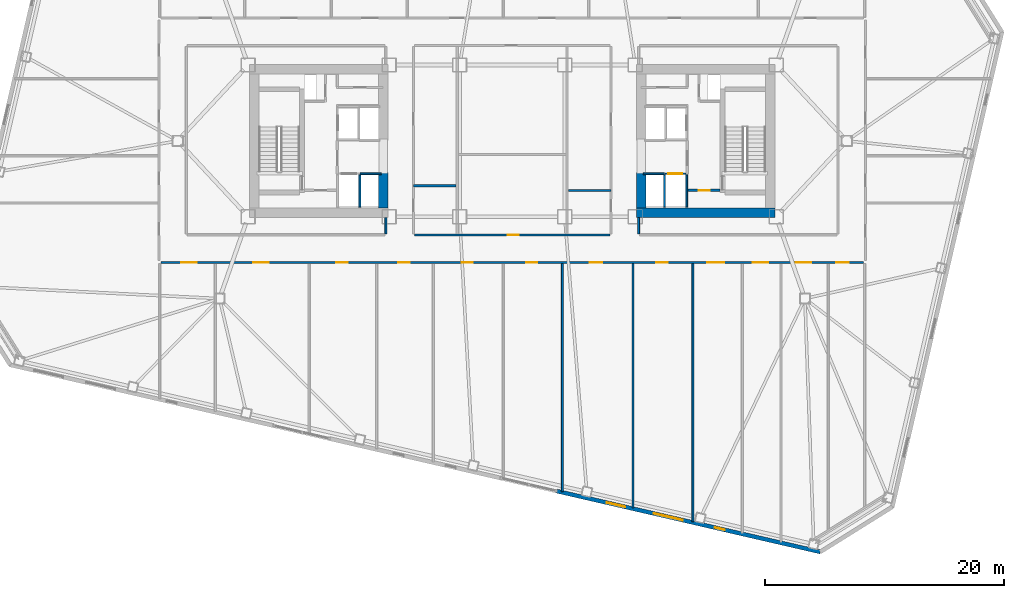
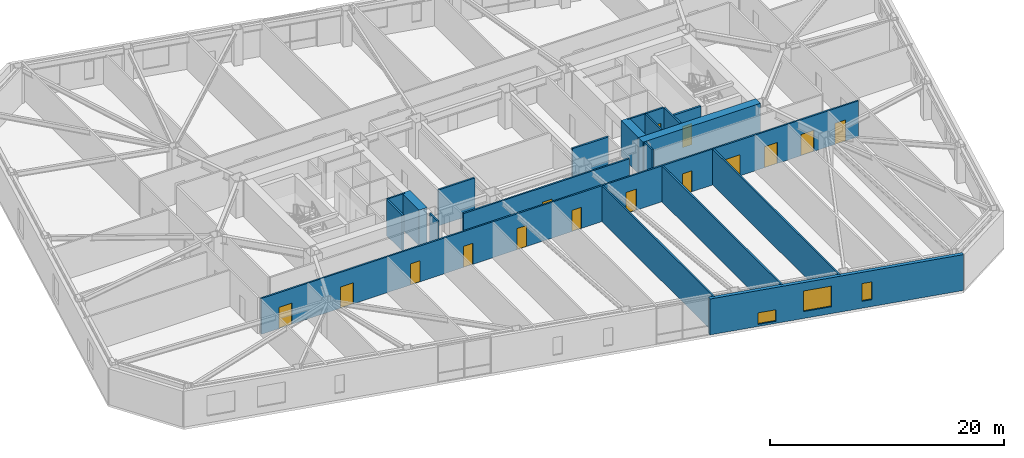
# One storey, part 10 of 19: 20 walls, 15 doors, 3 windows, 18 openings.
"""IFC4 building model written with IfcOpenShell, lengths in metres."""

from ifc_helpers import new_model, si_unit, direction, frame, frame_2d, origin, place, context, subcontext, project, spatial, rectangle, extrude, material, layer, layer_set, type_object, element, fill, save


model = new_model("IFC4")

# Units and contexts
model_context = context("Model", 3, precision=1e-05, world=origin(), true_north=direction((0.0, 1.0)))
body_context = subcontext(model_context, "Body", "Model", "MODEL_VIEW")
ifc_project = project(units=[si_unit("LENGTHUNIT", "METRE"), si_unit("AREAUNIT", "SQUARE_METRE"), si_unit("VOLUMEUNIT", "CUBIC_METRE"), si_unit("PLANEANGLEUNIT", "RADIAN"), si_unit("MASSUNIT", "GRAM", prefix="KILO")], contexts=[model_context])

# Site, building, storey
site_placement = place(None, origin())
site = spatial("IfcSite", under=ifc_project, at=site_placement, CompositionType="ELEMENT")
building_placement = place(site_placement, origin())
building = spatial("IfcBuilding", under=site, at=building_placement, Name="Tavrogorsk Clinical Tower", CompositionType="ELEMENT")
storey_placement = place(building_placement, frame((0.0, 0.0, 75.39990234375)))
storey = spatial("IfcBuildingStorey", under=building, at=storey_placement, Name="L16", CompositionType="ELEMENT", Elevation=75.39990234375)

# Wall, opening, door
ifc_material_1 = material(Name="Concrete B60", Category="concrete")
ifc_layer_1 = layer(ifc_material_1, 0.199951171875)
ifc_layer_set_1 = layer_set([ifc_layer_1], Name="Concrete B60")
wall_type_1 = type_object("IfcWallType", Name="CoreFireWall_200", PredefinedType="SOLIDWALL", material=ifc_layer_set_1)
wall_1_placement = place(storey_placement, frame((14.719970703125, -4.139892578125, 0.0), z_axis=(0.0, 0.0, 1.0), x_axis=(1.0, 0.0, 0.0)))
wall_1 = element("IfcWall", 1, at=wall_1_placement, inside=storey, type_object=wall_type_1, Name="L16 Core East South Core Room Fire Wall", PredefinedType="SOLIDWALL", context=body_context, shape_type="SweptSolid", body=[
    extrude(rectangle(XDim=2.659912109375, YDim=0.199951171875, at=frame_2d((1.330078125, 0.0))), origin(), (0.0, 0.0, 1.0), 3.739990234375),
])
opening_1_placement = place(wall_1_placement, frame((0.8798828125, 0.0, 0.0)))
opening_1 = element("IfcOpeningElement", 2, at=opening_1_placement, cuts=wall_1, Name="Opening ID-02", PredefinedType="OPENING", context=body_context, shape_type="SweptSolid", body=[
    extrude(rectangle(XDim=0.949951171875, YDim=2.199951171875, at=frame_2d((0.47509765625, 1.10009765625))), frame((0.0, 0.10986328125, 0.0), z_axis=(0.0, -1.0, 0.0), x_axis=(1.0, 0.0, 0.0)), (0.0, 0.0, 1.0), 0.219970703125),
])
ifc_material_2 = material(Name="Laminated timber leaf on aluminium frame", Category="wood")
door_type_1 = type_object("IfcDoorType", Name="InteriorDoor_ID02_950", OperationType="NOTDEFINED", PredefinedType="DOOR", material=ifc_material_2)
door_1_placement = place(opening_1_placement, origin())
door_1 = element("IfcDoor", 3, at=door_1_placement, inside=storey, type_object=door_type_1, Name="L16 Core East South Core Room Door", OperationType="SINGLE_SWING_RIGHT", OverallHeight=2.199951171875, OverallWidth=0.949951171875, PredefinedType="DOOR", context=body_context, shape_type="SweptSolid", body=[
    extrude(rectangle(XDim=0.949951171875, YDim=2.199951171875, at=frame_2d((0.47509765625, 1.10009765625))), frame((0.0, 0.02490234375, 0.0), z_axis=(0.0, -1.0, 0.0), x_axis=(1.0, 0.0, 0.0)), (0.0, 0.0, 1.0), 0.050048828125),
])
fill(opening_1, door_1)

# Wall, openings, doors
ifc_material_3 = material(Name="Lightweight concrete blockwork B15", Category="masonry")
ifc_layer_2 = layer(ifc_material_3, 0.159912109375)
ifc_layer_set_2 = layer_set([ifc_layer_2], Name="Lightweight concrete blockwork B15")
wall_type_2 = type_object("IfcWallType", Name="PartitionWall_160", PredefinedType="PARTITIONING", material=ifc_layer_set_2)
wall_2_placement = place(storey_placement, frame((29.4150390625, -10.179931640625, 0.0), z_axis=(0.0, 0.0, 1.0), x_axis=(-1.0, 0.0, 0.0)))
wall_2 = element("IfcWall", 4, at=wall_2_placement, inside=storey, type_object=wall_type_2, Name="L16 Corridor Partition 04", PredefinedType="PARTITIONING", context=body_context, shape_type="SweptSolid", body=[
    extrude(rectangle(XDim=58.830078125, YDim=0.159912109375, at=frame_2d((29.4150390625, 0.0))), origin(), (0.0, 0.0, 1.0), 3.739990234375),
])
opening_2_placement = place(wall_2_placement, frame((55.830810546875, 0.0, 0.0)))
opening_2 = element("IfcOpeningElement", 5, at=opening_2_placement, cuts=wall_2, Name="Opening ID-01", PredefinedType="OPENING", context=body_context, shape_type="SweptSolid", body=[
    extrude(rectangle(XDim=1.300048828125, YDim=2.199951171875, at=frame_2d((0.64990234375, 1.10009765625))), frame((0.0, 0.08984375, 0.0), z_axis=(0.0, -1.0, 0.0), x_axis=(1.0, 0.0, 0.0)), (0.0, 0.0, 1.0), 0.179931640625),
])
opening_3_placement = place(wall_2_placement, frame((49.77490234375, 0.0, 0.0)))
opening_3 = element("IfcOpeningElement", 6, at=opening_3_placement, cuts=wall_2, Name="Opening ID-01", PredefinedType="OPENING", context=body_context, shape_type="SweptSolid", body=[
    extrude(rectangle(XDim=1.300048828125, YDim=2.199951171875, at=frame_2d((0.64990234375, 1.10009765625))), frame((0.0, 0.08984375, 0.0), z_axis=(0.0, -1.0, 0.0), x_axis=(1.0, 0.0, 0.0)), (0.0, 0.0, 1.0), 0.179931640625),
])
opening_4_placement = place(wall_2_placement, frame((43.199951171875, 0.0, 0.0)))
opening_4 = element("IfcOpeningElement", 7, at=opening_4_placement, cuts=wall_2, Name="Opening ID-02", PredefinedType="OPENING", context=body_context, shape_type="SweptSolid", body=[
    extrude(rectangle(XDim=0.949951171875, YDim=2.199951171875, at=frame_2d((0.47509765625, 1.10009765625))), frame((0.0, 0.08984375, 0.0), z_axis=(0.0, -1.0, 0.0), x_axis=(1.0, 0.0, 0.0)), (0.0, 0.0, 1.0), 0.179931640625),
])
opening_5_placement = place(wall_2_placement, frame((38.0, 0.0, 0.0)))
opening_5 = element("IfcOpeningElement", 8, at=opening_5_placement, cuts=wall_2, Name="Opening ID-02", PredefinedType="OPENING", context=body_context, shape_type="SweptSolid", body=[
    extrude(rectangle(XDim=0.949951171875, YDim=2.199951171875, at=frame_2d((0.47509765625, 1.10009765625))), frame((0.0, 0.08984375, 0.0), z_axis=(0.0, -1.0, 0.0), x_axis=(1.0, 0.0, 0.0)), (0.0, 0.0, 1.0), 0.179931640625),
])
opening_6_placement = place(wall_2_placement, frame((32.699951171875, 0.0, 0.0)))
opening_6 = element("IfcOpeningElement", 9, at=opening_6_placement, cuts=wall_2, Name="Opening ID-02", PredefinedType="OPENING", context=body_context, shape_type="SweptSolid", body=[
    extrude(rectangle(XDim=0.949951171875, YDim=2.199951171875, at=frame_2d((0.47509765625, 1.10009765625))), frame((0.0, 0.08984375, 0.0), z_axis=(0.0, -1.0, 0.0), x_axis=(1.0, 0.0, 0.0)), (0.0, 0.0, 1.0), 0.179931640625),
])
opening_7_placement = place(wall_2_placement, frame((27.300048828125, 0.0, 0.0)))
opening_7 = element("IfcOpeningElement", 10, at=opening_7_placement, cuts=wall_2, Name="Opening ID-02", PredefinedType="OPENING", context=body_context, shape_type="SweptSolid", body=[
    extrude(rectangle(XDim=0.949951171875, YDim=2.199951171875, at=frame_2d((0.47509765625, 1.10009765625))), frame((0.0, 0.08984375, 0.0), z_axis=(0.0, -1.0, 0.0), x_axis=(1.0, 0.0, 0.0)), (0.0, 0.0, 1.0), 0.179931640625),
])
opening_8_placement = place(wall_2_placement, frame((21.8701171875, 0.0, 0.0)))
opening_8 = element("IfcOpeningElement", 11, at=opening_8_placement, cuts=wall_2, Name="Opening ID-04", PredefinedType="OPENING", context=body_context, shape_type="SweptSolid", body=[
    extrude(rectangle(XDim=1.050048828125, YDim=2.199951171875, at=frame_2d((0.52490234375, 1.10009765625))), frame((0.0, 0.08984375, 0.0), z_axis=(0.0, -1.0, 0.0), x_axis=(1.0, 0.0, 0.0)), (0.0, 0.0, 1.0), 0.179931640625),
])
opening_9_placement = place(wall_2_placement, frame((16.409912109375, 0.0, 0.0)))
opening_9 = element("IfcOpeningElement", 12, at=opening_9_placement, cuts=wall_2, Name="Opening ID-02", PredefinedType="OPENING", context=body_context, shape_type="SweptSolid", body=[
    extrude(rectangle(XDim=0.949951171875, YDim=2.199951171875, at=frame_2d((0.47509765625, 1.10009765625))), frame((0.0, 0.08984375, 0.0), z_axis=(0.0, -1.0, 0.0), x_axis=(1.0, 0.0, 0.0)), (0.0, 0.0, 1.0), 0.179931640625),
])
opening_10_placement = place(wall_2_placement, frame((11.659912109375, 0.0, 0.0)))
opening_10 = element("IfcOpeningElement", 13, at=opening_10_placement, cuts=wall_2, Name="Opening ID-05", PredefinedType="OPENING", context=body_context, shape_type="SweptSolid", body=[
    extrude(rectangle(XDim=1.449951171875, YDim=2.199951171875, at=frame_2d((0.72509765625, 1.10009765625))), frame((0.0, 0.08984375, 0.0), z_axis=(0.0, -1.0, 0.0), x_axis=(1.0, 0.0, 0.0)), (0.0, 0.0, 1.0), 0.179931640625),
])
opening_11_placement = place(wall_2_placement, frame((7.969970703125, 0.0, 0.0)))
opening_11 = element("IfcOpeningElement", 14, at=opening_11_placement, cuts=wall_2, Name="Opening ID-01", PredefinedType="OPENING", context=body_context, shape_type="SweptSolid", body=[
    extrude(rectangle(XDim=1.300048828125, YDim=2.199951171875, at=frame_2d((0.64990234375, 1.10009765625))), frame((0.0, 0.08984375, 0.0), z_axis=(0.0, -1.0, 0.0), x_axis=(1.0, 0.0, 0.0)), (0.0, 0.0, 1.0), 0.179931640625),
])
opening_12_placement = place(wall_2_placement, frame((4.375, 0.0, 0.0)))
opening_12 = element("IfcOpeningElement", 15, at=opening_12_placement, cuts=wall_2, Name="Opening ID-01", PredefinedType="OPENING", context=body_context, shape_type="SweptSolid", body=[
    extrude(rectangle(XDim=1.300048828125, YDim=2.199951171875, at=frame_2d((0.64990234375, 1.10009765625))), frame((0.0, 0.08984375, 0.0), z_axis=(0.0, -1.0, 0.0), x_axis=(1.0, 0.0, 0.0)), (0.0, 0.0, 1.0), 0.179931640625),
])
opening_13_placement = place(wall_2_placement, frame((1.244140625, 0.0, 0.0)))
opening_13 = element("IfcOpeningElement", 16, at=opening_13_placement, cuts=wall_2, Name="Opening ID-04", PredefinedType="OPENING", context=body_context, shape_type="SweptSolid", body=[
    extrude(rectangle(XDim=1.050048828125, YDim=2.199951171875, at=frame_2d((0.52490234375, 1.10009765625))), frame((0.0, 0.08984375, 0.0), z_axis=(0.0, -1.0, 0.0), x_axis=(1.0, 0.0, 0.0)), (0.0, 0.0, 1.0), 0.179931640625),
])
ifc_material_4 = material(Name="Antibacterial HPL consultation door on aluminium frame", Category="aluminium")
door_type_2 = type_object("IfcDoorType", Name="ConsultDoor_ID04_1050", OperationType="NOTDEFINED", PredefinedType="DOOR", material=ifc_material_4)
door_2_placement = place(opening_8_placement, origin())
door_2 = element("IfcDoor", 17, at=door_2_placement, inside=storey, type_object=door_type_2, Name="L16 South Staff Rest & Nourishment Lounge 05A Door", OperationType="SINGLE_SWING_RIGHT", OverallHeight=2.199951171875, OverallWidth=1.050048828125, PredefinedType="DOOR", context=body_context, shape_type="SweptSolid", body=[
    extrude(rectangle(XDim=1.050048828125, YDim=2.199951171875, at=frame_2d((0.52490234375, 1.10009765625))), frame((0.0, 0.02490234375, 0.0), z_axis=(0.0, -1.0, 0.0), x_axis=(1.0, 0.0, 0.0)), (0.0, 0.0, 1.0), 0.050048828125),
])
fill(opening_8, door_2)
door_3_placement = place(opening_13_placement, origin())
door_3 = element("IfcDoor", 18, at=door_3_placement, inside=storey, type_object=door_type_2, Name="L16 South Clean Medication & Prep Room 07B Door", OperationType="SINGLE_SWING_LEFT", OverallHeight=2.199951171875, OverallWidth=1.050048828125, PredefinedType="DOOR", context=body_context, shape_type="SweptSolid", body=[
    extrude(rectangle(XDim=1.050048828125, YDim=2.199951171875, at=frame_2d((0.52490234375, 1.10009765625))), frame((0.0, 0.02490234375, 0.0), z_axis=(0.0, -1.0, 0.0), x_axis=(1.0, 0.0, 0.0)), (0.0, 0.0, 1.0), 0.050048828125),
])
fill(opening_13, door_3)
ifc_material_5 = material(Name="Antibacterial HPL bariatric ward double door")
door_type_3 = type_object("IfcDoorType", Name="DoubleWardDoor_ID05_1450", OperationType="DOUBLE_SWING_LEFT", PredefinedType="DOOR", material=ifc_material_5)
door_4_placement = place(opening_10_placement, origin())
door_4 = element("IfcDoor", 19, at=door_4_placement, inside=storey, type_object=door_type_3, Name="L16 South Bariatric Observation Ward 06A Door", OperationType="DOUBLE_SWING_LEFT", OverallHeight=2.199951171875, OverallWidth=1.449951171875, PredefinedType="DOOR", context=body_context, shape_type="SweptSolid", body=[
    extrude(rectangle(XDim=1.449951171875, YDim=2.199951171875, at=frame_2d((0.72509765625, 1.10009765625))), frame((0.0, 0.02490234375, 0.0), z_axis=(0.0, -1.0, 0.0), x_axis=(1.0, 0.0, 0.0)), (0.0, 0.0, 1.0), 0.050048828125),
])
fill(opening_10, door_4)
door_5_placement = place(opening_4_placement, origin())
door_5 = element("IfcDoor", 20, at=door_5_placement, inside=storey, type_object=door_type_1, Name="L16 South Soiled Utility & Sluice Room 03A Door", OperationType="SINGLE_SWING_RIGHT", OverallHeight=2.199951171875, OverallWidth=0.949951171875, PredefinedType="DOOR", context=body_context, shape_type="SweptSolid", body=[
    extrude(rectangle(XDim=0.949951171875, YDim=2.199951171875, at=frame_2d((0.47509765625, 1.10009765625))), frame((0.0, 0.02490234375, 0.0), z_axis=(0.0, -1.0, 0.0), x_axis=(1.0, 0.0, 0.0)), (0.0, 0.0, 1.0), 0.050048828125),
])
fill(opening_4, door_5)
door_6_placement = place(opening_5_placement, origin())
door_6 = element("IfcDoor", 21, at=door_6_placement, inside=storey, type_object=door_type_1, Name="L16 South Outpatient Procedure Suite 03B Door", OperationType="SINGLE_SWING_LEFT", OverallHeight=2.199951171875, OverallWidth=0.949951171875, PredefinedType="DOOR", context=body_context, shape_type="SweptSolid", body=[
    extrude(rectangle(XDim=0.949951171875, YDim=2.199951171875, at=frame_2d((0.47509765625, 1.10009765625))), frame((0.0, 0.02490234375, 0.0), z_axis=(0.0, -1.0, 0.0), x_axis=(1.0, 0.0, 0.0)), (0.0, 0.0, 1.0), 0.050048828125),
])
fill(opening_5, door_6)
door_7_placement = place(opening_6_placement, origin())
door_7 = element("IfcDoor", 22, at=door_7_placement, inside=storey, type_object=door_type_1, Name="L16 South Clinical Case Seminar Room 04A Door", OperationType="SINGLE_SWING_RIGHT", OverallHeight=2.199951171875, OverallWidth=0.949951171875, PredefinedType="DOOR", context=body_context, shape_type="SweptSolid", body=[
    extrude(rectangle(XDim=0.949951171875, YDim=2.199951171875, at=frame_2d((0.47509765625, 1.10009765625))), frame((0.0, 0.02490234375, 0.0), z_axis=(0.0, -1.0, 0.0), x_axis=(1.0, 0.0, 0.0)), (0.0, 0.0, 1.0), 0.050048828125),
])
fill(opening_6, door_7)
door_8_placement = place(opening_7_placement, origin())
door_8 = element("IfcDoor", 23, at=door_8_placement, inside=storey, type_object=door_type_1, Name="L16 South Cardiology Diagnostics Room 04B Door", OperationType="SINGLE_SWING_LEFT", OverallHeight=2.199951171875, OverallWidth=0.949951171875, PredefinedType="DOOR", context=body_context, shape_type="SweptSolid", body=[
    extrude(rectangle(XDim=0.949951171875, YDim=2.199951171875, at=frame_2d((0.47509765625, 1.10009765625))), frame((0.0, 0.02490234375, 0.0), z_axis=(0.0, -1.0, 0.0), x_axis=(1.0, 0.0, 0.0)), (0.0, 0.0, 1.0), 0.050048828125),
])
fill(opening_7, door_8)
door_9_placement = place(opening_9_placement, origin())
door_9 = element("IfcDoor", 24, at=door_9_placement, inside=storey, type_object=door_type_1, Name="L16 South Attending Physician Office 05B Door", OperationType="SINGLE_SWING_LEFT", OverallHeight=2.199951171875, OverallWidth=0.949951171875, PredefinedType="DOOR", context=body_context, shape_type="SweptSolid", body=[
    extrude(rectangle(XDim=0.949951171875, YDim=2.199951171875, at=frame_2d((0.47509765625, 1.10009765625))), frame((0.0, 0.02490234375, 0.0), z_axis=(0.0, -1.0, 0.0), x_axis=(1.0, 0.0, 0.0)), (0.0, 0.0, 1.0), 0.050048828125),
])
fill(opening_9, door_9)
ifc_material_6 = material(Name="Antibacterial HPL medical leaf on aluminium frame", Category="aluminium")
door_type_4 = type_object("IfcDoorType", Name="WardBedDoor_ID01_1300", OperationType="NOTDEFINED", PredefinedType="DOOR", material=ifc_material_6)
door_10_placement = place(opening_2_placement, origin())
door_10 = element("IfcDoor", 25, at=door_10_placement, inside=storey, type_object=door_type_4, Name="L16 South Bariatric Observation Ward 01 Door", OperationType="SINGLE_SWING_RIGHT", OverallHeight=2.199951171875, OverallWidth=1.300048828125, PredefinedType="DOOR", context=body_context, shape_type="SweptSolid", body=[
    extrude(rectangle(XDim=1.300048828125, YDim=2.199951171875, at=frame_2d((0.64990234375, 1.10009765625))), frame((0.0, 0.02490234375, 0.0), z_axis=(0.0, -1.0, 0.0), x_axis=(1.0, 0.0, 0.0)), (0.0, 0.0, 1.0), 0.050048828125),
])
fill(opening_2, door_10)
door_11_placement = place(opening_3_placement, origin())
door_11 = element("IfcDoor", 26, at=door_11_placement, inside=storey, type_object=door_type_4, Name="L16 South Surgical Step-Down Ward 02 Door", OperationType="SINGLE_SWING_LEFT", OverallHeight=2.199951171875, OverallWidth=1.300048828125, PredefinedType="DOOR", context=body_context, shape_type="SweptSolid", body=[
    extrude(rectangle(XDim=1.300048828125, YDim=2.199951171875, at=frame_2d((0.64990234375, 1.10009765625))), frame((0.0, 0.02490234375, 0.0), z_axis=(0.0, -1.0, 0.0), x_axis=(1.0, 0.0, 0.0)), (0.0, 0.0, 1.0), 0.050048828125),
])
fill(opening_3, door_11)
door_12_placement = place(opening_11_placement, origin())
door_12 = element("IfcDoor", 27, at=door_12_placement, inside=storey, type_object=door_type_4, Name="L16 South Acute Medical Ward 06B Door", OperationType="SINGLE_SWING_LEFT", OverallHeight=2.199951171875, OverallWidth=1.300048828125, PredefinedType="DOOR", context=body_context, shape_type="SweptSolid", body=[
    extrude(rectangle(XDim=1.300048828125, YDim=2.199951171875, at=frame_2d((0.64990234375, 1.10009765625))), frame((0.0, 0.02490234375, 0.0), z_axis=(0.0, -1.0, 0.0), x_axis=(1.0, 0.0, 0.0)), (0.0, 0.0, 1.0), 0.050048828125),
])
fill(opening_11, door_12)
door_13_placement = place(opening_12_placement, origin())
door_13 = element("IfcDoor", 28, at=door_13_placement, inside=storey, type_object=door_type_4, Name="L16 South Surgical Step-Down Ward 07A Door", OperationType="SINGLE_SWING_RIGHT", OverallHeight=2.199951171875, OverallWidth=1.300048828125, PredefinedType="DOOR", context=body_context, shape_type="SweptSolid", body=[
    extrude(rectangle(XDim=1.300048828125, YDim=2.199951171875, at=frame_2d((0.64990234375, 1.10009765625))), frame((0.0, 0.02490234375, 0.0), z_axis=(0.0, -1.0, 0.0), x_axis=(1.0, 0.0, 0.0)), (0.0, 0.0, 1.0), 0.050048828125),
])
fill(opening_12, door_13)

# Wall
wall_3_placement = place(storey_placement, frame((10.580078125, -6.419921875, 0.0), z_axis=(0.0, 0.0, 1.0), x_axis=(0.0, -1.0, 0.0)))
element("IfcWall", 29, at=wall_3_placement, inside=storey, type_object=wall_type_2, Name="L16 Corridor Partition 07", PredefinedType="PARTITIONING", context=body_context, shape_type="SweptSolid", body=[
    extrude(rectangle(XDim=1.364990234375, YDim=0.159912109375, at=frame_2d((0.6826171875, 0.0))), origin(), (0.0, 0.0, 1.0), 3.739990234375),
])

# Wall, opening, door
wall_4_placement = place(storey_placement, frame((-8.18505859375, -7.8701171875, 0.0), z_axis=(0.0, 0.0, 1.0), x_axis=(1.0, 0.0, 0.0)))
wall_4 = element("IfcWall", 30, at=wall_4_placement, inside=storey, type_object=wall_type_2, Name="L16 Corridor Partition 13", PredefinedType="PARTITIONING", context=body_context, shape_type="SweptSolid", body=[
    extrude(rectangle(XDim=16.3701171875, YDim=0.159912109375, at=frame_2d((8.18505859375, 0.0))), origin(), (0.0, 0.0, 1.0), 3.739990234375),
])
opening_14_placement = place(wall_4_placement, frame((7.794921875, 0.0, 0.0)))
opening_14 = element("IfcOpeningElement", 31, at=opening_14_placement, cuts=wall_4, Name="Opening ID-02", PredefinedType="OPENING", context=body_context, shape_type="SweptSolid", body=[
    extrude(rectangle(XDim=0.949951171875, YDim=2.199951171875, at=frame_2d((0.47509765625, 1.10009765625))), frame((0.0, 0.08984375, 0.0), z_axis=(0.0, -1.0, 0.0), x_axis=(1.0, 0.0, 0.0)), (0.0, 0.0, 1.0), 0.179931640625),
])
door_14_placement = place(opening_14_placement, origin())
door_14 = element("IfcDoor", 32, at=door_14_placement, inside=storey, type_object=door_type_1, Name="L16 Multidisciplinary Conference Room Door", OperationType="SINGLE_SWING_RIGHT", OverallHeight=2.199951171875, OverallWidth=0.949951171875, PredefinedType="DOOR", context=body_context, shape_type="SweptSolid", body=[
    extrude(rectangle(XDim=0.949951171875, YDim=2.199951171875, at=frame_2d((0.47509765625, 1.10009765625))), frame((0.0, 0.02490234375, 0.0), z_axis=(0.0, -1.0, 0.0), x_axis=(1.0, 0.0, 0.0)), (0.0, 0.0, 1.0), 0.050048828125),
])
fill(opening_14, door_14)

# Walls
wall_5_placement = place(storey_placement, frame((-10.580078125, -7.784912109375, 0.0), z_axis=(0.0, 0.0, 1.0), x_axis=(0.0, 1.0, 0.0)))
element("IfcWall", 33, at=wall_5_placement, inside=storey, type_object=wall_type_2, Name="L16 Corridor Partition 14", PredefinedType="PARTITIONING", context=body_context, shape_type="SweptSolid", body=[
    extrude(rectangle(XDim=1.364990234375, YDim=0.159912109375, at=frame_2d((0.6826171875, 0.0))), origin(), (0.0, 0.0, 1.0), 3.739990234375),
])
wall_6_placement = place(storey_placement, frame((4.199951171875, -29.350830078125, 0.0), z_axis=(0.0, 0.0, 1.0), x_axis=(0.0, 1.0, 0.0)))
element("IfcWall", 34, at=wall_6_placement, inside=storey, type_object=wall_type_2, Name="L16 South Room Partition 4", PredefinedType="PARTITIONING", context=body_context, shape_type="SweptSolid", body=[
    extrude(rectangle(XDim=19.0859375, YDim=0.159912109375, at=frame_2d((9.54296875, 0.0))), origin(), (0.0, 0.0, 1.0), 3.739990234375),
])
wall_7_placement = place(storey_placement, frame((15.1201171875, -31.871826171875, 0.0), z_axis=(0.0, 0.0, 1.0), x_axis=(0.0, 1.0, 0.0)))
element("IfcWall", 35, at=wall_7_placement, inside=storey, type_object=wall_type_2, Name="L16 South Room Partition 5", PredefinedType="PARTITIONING", context=body_context, shape_type="SweptSolid", body=[
    extrude(rectangle(XDim=21.60693359375, YDim=0.159912109375, at=frame_2d((10.803466796875, 0.0))), origin(), (0.0, 0.0, 1.0), 3.739990234375),
])
wall_8_placement = place(storey_placement, frame((10.110107421875, -30.715087890625, 0.0), z_axis=(0.0, 0.0, 1.0), x_axis=(0.0, 1.0, 0.0)))
element("IfcWall", 36, at=wall_8_placement, inside=storey, type_object=wall_type_2, Name="L16 South Sub-Partition 5", PredefinedType="PARTITIONING", context=body_context, shape_type="SweptSolid", body=[
    extrude(rectangle(XDim=20.4501953125, YDim=0.159912109375, at=frame_2d((10.22509765625, 0.0))), origin(), (0.0, 0.0, 1.0), 3.739990234375),
])
ifc_material_7 = material(Name="Lightweight concrete blockwork B20", Category="masonry")
ifc_layer_3 = layer(ifc_material_7, 0.179931640625)
ifc_layer_set_3 = layer_set([ifc_layer_3], Name="Lightweight concrete blockwork B20")
wall_type_3 = type_object("IfcWallType", Name="PartitionWall_180", PredefinedType="PARTITIONING", material=ifc_layer_set_3)
for number, where, z_axis, x_axis, name in (
    (37, (-8.264892578125, -3.75, 0.0), (0.0, 0.0, 1.0), (1.0, 0.0, 0.0), "L16 Central Spine Partition 4"),
    (38, (4.695068359375, -4.14990234375, 0.0), (0.0, 0.0, 1.0), (1.0, 0.0, 0.0), "L16 Central Spine Partition 5"),
):
    element("IfcWall", number, at=place(storey_placement, frame(where, z_axis=z_axis, x_axis=x_axis)), inside=storey, type_object=wall_type_3, Name=name, PredefinedType="PARTITIONING", context=body_context, shape_type="SweptSolid", body=[
        extrude(rectangle(XDim=3.56982421875, YDim=0.179931640625, at=frame_2d((1.784912109375, 0.0))), origin(), (0.0, 0.0, 1.0), 3.739990234375),
    ])

# Wall, openings, windows
ifc_material_8 = material(Name="Precast concrete B45 with limestone cladding", Category="masonry")
ifc_layer_4 = layer(ifc_material_8, 0.340087890625)
ifc_layer_set_4 = layer_set([ifc_layer_4], Name="Precast concrete B45 with limestone cladding")
wall_type_4 = type_object("IfcWallType", Name="PrecastLimestoneWall_340", PredefinedType="STANDARD", material=ifc_layer_set_4)
wall_9_placement = place(storey_placement, frame((3.716796875, -29.31103515625, 0.0), z_axis=(0.0, 0.0, 1.0), x_axis=(0.97436993772, -0.224951604723, 0.0)))
wall_9 = element("IfcWall", 39, at=wall_9_placement, inside=storey, type_object=wall_type_4, Name="L16 S Limestone Facade Wall 3", PredefinedType="STANDARD", context=body_context, shape_type="SweptSolid", body=[
    extrude(rectangle(XDim=22.6513671875, YDim=0.340087890625, at=frame_2d((11.32568359375, 0.0))), origin(), (0.0, 0.0, 1.0), 3.739990234375),
])
opening_15_placement = place(wall_9_placement, frame((4.306396484375, 0.0, 0.219970703125)))
opening_15 = element("IfcOpeningElement", 40, at=opening_15_placement, cuts=wall_9, Name="Opening WN-09", PredefinedType="OPENING", context=body_context, shape_type="SweptSolid", body=[
    extrude(rectangle(XDim=1.60009765625, YDim=1.199951171875, at=frame_2d((0.800048828125, 0.60009765625))), frame((0.0, 0.179931640625, 0.0), z_axis=(0.0, -1.0, 0.0), x_axis=(1.0, 0.0, 0.0)), (0.0, 0.0, 1.0), 0.360107421875),
])
opening_16_placement = place(wall_9_placement, frame((8.3408203125, 0.0, 0.719970703125)))
opening_16 = element("IfcOpeningElement", 41, at=opening_16_placement, cuts=wall_9, Name="Opening WN-11", PredefinedType="OPENING", context=body_context, shape_type="SweptSolid", body=[
    extrude(rectangle(XDim=2.5, YDim=2.14990234375, at=frame_2d((1.25, 1.074951171875))), frame((0.0, 0.179931640625, 0.0), z_axis=(0.0, -1.0, 0.0), x_axis=(1.0, 0.0, 0.0)), (0.0, 0.0, 1.0), 0.360107421875),
])
opening_17_placement = place(wall_9_placement, frame((13.60498046875, 0.0, 0.719970703125)))
opening_17 = element("IfcOpeningElement", 42, at=opening_17_placement, cuts=wall_9, Name="Opening WN-06", PredefinedType="OPENING", context=body_context, shape_type="SweptSolid", body=[
    extrude(rectangle(XDim=0.85009765625, YDim=1.85009765625, at=frame_2d((0.425048828125, 0.925048828125))), frame((0.0, 0.179931640625, 0.0), z_axis=(0.0, -1.0, 0.0), x_axis=(1.0, 0.0, 0.0)), (0.0, 0.0, 1.0), 0.360107421875),
])
ifc_material_9 = material(Name="Thermally broken aluminium frame and triple IGU", Category="aluminium")
window_type_1 = type_object("IfcWindowType", Name="LowHeadTransWin_1600x1200", PartitioningType="DOUBLE_PANEL_VERTICAL", PredefinedType="WINDOW", material=ifc_material_9)
window_1_placement = place(opening_15_placement, origin())
window_1 = element("IfcWindow", 43, at=window_1_placement, inside=storey, type_object=window_type_1, Name="L16 S Chicago Window 07", OverallHeight=1.199951171875, OverallWidth=1.60009765625, PartitioningType="SINGLE_PANEL", PredefinedType="WINDOW", context=body_context, shape_type="SweptSolid", body=[
    extrude(rectangle(XDim=1.60009765625, YDim=1.199951171875, at=frame_2d((0.800048828125, 0.60009765625))), frame((0.0, 0.030029296875, 0.0), z_axis=(0.0, -1.0, 0.0), x_axis=(1.0, 0.0, 0.0)), (0.0, 0.0, 1.0), 0.06005859375),
])
fill(opening_15, window_1)
ifc_material_10 = material(Name="Thermally broken aluminium frame and triple IGU", Category="aluminium")
window_type_2 = type_object("IfcWindowType", Name="MullionSubWin_850x1850", PartitioningType="SINGLE_PANEL", PredefinedType="WINDOW", material=ifc_material_10)
window_2_placement = place(opening_17_placement, origin())
window_2 = element("IfcWindow", 44, at=window_2_placement, inside=storey, type_object=window_type_2, Name="L16 S Mullion Split Window 09A", OverallHeight=1.85009765625, OverallWidth=0.85009765625, PartitioningType="SINGLE_PANEL", PredefinedType="WINDOW", context=body_context, shape_type="SweptSolid", body=[
    extrude(rectangle(XDim=0.85009765625, YDim=1.85009765625, at=frame_2d((0.425048828125, 0.925048828125))), frame((0.0, 0.030029296875, 0.0), z_axis=(0.0, -1.0, 0.0), x_axis=(1.0, 0.0, 0.0)), (0.0, 0.0, 1.0), 0.06005859375),
])
fill(opening_17, window_2)
ifc_material_11 = material(Name="Thermally broken aluminium frame and triple IGU", Category="aluminium")
window_type_3 = type_object("IfcWindowType", Name="StepDownWin_2500x2150", PartitioningType="TRIPLE_PANEL_HORIZONTAL", PredefinedType="WINDOW", material=ifc_material_11)
window_3_placement = place(opening_16_placement, origin())
window_3 = element("IfcWindow", 45, at=window_3_placement, inside=storey, type_object=window_type_3, Name="L16 S Chicago Window 08", OverallHeight=2.14990234375, OverallWidth=2.5, PartitioningType="SINGLE_PANEL", PredefinedType="WINDOW", context=body_context, shape_type="SweptSolid", body=[
    extrude(rectangle(XDim=2.5, YDim=2.14990234375, at=frame_2d((1.25, 1.074951171875))), frame((0.0, 0.030029296875, 0.0), z_axis=(0.0, -1.0, 0.0), x_axis=(1.0, 0.0, 0.0)), (0.0, 0.0, 1.0), 0.06005859375),
])
fill(opening_16, window_3)

# Walls
ifc_material_12 = material(Name="Lightweight concrete blockwork B25", Category="masonry")
ifc_layer_5 = layer(ifc_material_12, 0.159912109375)
ifc_layer_set_5 = layer_set([ifc_layer_5], Name="Lightweight concrete blockwork B25")
wall_type_5 = type_object("IfcWallType", Name="ShaftWall_160", PredefinedType="PARTITIONING", material=ifc_layer_set_5)
wall_10_placement = place(storey_placement, frame((-12.75, -5.5400390625, 0.0), z_axis=(0.0, 0.0, 1.0), x_axis=(0.0, 1.0, 0.0)))
element("IfcWall", 46, at=wall_10_placement, inside=storey, type_object=wall_type_5, Name="L16 LP-L1 Lift Hoistway Divider Wall", PredefinedType="PARTITIONING", context=body_context, shape_type="SweptSolid", body=[
    extrude(rectangle(XDim=2.699951171875, YDim=0.159912109375, at=frame_2d((1.35009765625, 0.0))), origin(), (0.0, 0.0, 1.0), 3.739990234375),
])
wall_11_placement = place(storey_placement, frame((-12.72998046875, -2.75, 0.0), z_axis=(0.0, 0.0, 1.0), x_axis=(1.0, 0.0, 0.0)))
element("IfcWall", 47, at=wall_11_placement, inside=storey, type_object=wall_type_5, Name="L16 LP-M1 Lift Shaft Portal Wall", PredefinedType="PARTITIONING", context=body_context, shape_type="SweptSolid", body=[
    extrude(rectangle(XDim=1.760009765625, YDim=0.159912109375, at=frame_2d((0.8798828125, 0.0))), origin(), (0.0, 0.0, 1.0), 3.739990234375),
])

# Wall, opening, door
wall_12_placement = place(storey_placement, frame((12.77001953125, -2.75, 0.0), z_axis=(0.0, 0.0, 1.0), x_axis=(1.0, 0.0, 0.0)))
wall_12 = element("IfcWall", 48, at=wall_12_placement, inside=storey, type_object=wall_type_5, Name="L16 LP-L2 Lift Shaft Portal Wall", PredefinedType="PARTITIONING", context=body_context, shape_type="SweptSolid", body=[
    extrude(rectangle(XDim=1.760009765625, YDim=0.159912109375, at=frame_2d((0.8798828125, 0.0))), origin(), (0.0, 0.0, 1.0), 3.739990234375),
])
opening_18_placement = place(wall_12_placement, frame((0.280029296875, 0.0, 0.0)))
opening_18 = element("IfcOpeningElement", 49, at=opening_18_placement, cuts=wall_12, Name="Opening LD", PredefinedType="OPENING", context=body_context, shape_type="SweptSolid", body=[
    extrude(rectangle(XDim=1.199951171875, YDim=2.199951171875, at=frame_2d((0.60009765625, 1.10009765625))), frame((0.0, 0.08984375, 0.0), z_axis=(0.0, -1.0, 0.0), x_axis=(1.0, 0.0, 0.0)), (0.0, 0.0, 1.0), 0.179931640625),
])
ifc_material_13 = material(Name="Brushed stainless steel AISI 304 sliding doors", Category="steel")
door_type_5 = type_object("IfcDoorType", Name="LiftLandingDoor_LD_1200", OperationType="SLIDING_TO_LEFT", PredefinedType="DOOR", material=ifc_material_13)
door_15_placement = place(opening_18_placement, origin())
door_15 = element("IfcDoor", 50, at=door_15_placement, inside=storey, type_object=door_type_5, Name="L16 LP-L2 Sliding Lift Landing Door", OperationType="SLIDING_TO_LEFT", OverallHeight=2.199951171875, OverallWidth=1.199951171875, PredefinedType="DOOR", context=body_context, shape_type="SweptSolid", body=[
    extrude(rectangle(XDim=1.199951171875, YDim=2.199951171875, at=frame_2d((0.60009765625, 1.10009765625))), frame((0.0, 0.02490234375, 0.0), z_axis=(0.0, -1.0, 0.0), x_axis=(1.0, 0.0, 0.0)), (0.0, 0.0, 1.0), 0.050048828125),
])
fill(opening_18, door_15)

# Walls
for number, where, z_axis, x_axis, name in (
    (51, (12.75, -5.5400390625, 0.0), (0.0, 0.0, 1.0), (0.0, 1.0, 0.0), "L16 LP-L2 Lift Hoistway Divider Wall"),
    (52, (14.610107421875, -5.5400390625, 0.0), (0.0, 0.0, 1.0), (0.0, 1.0, 0.0), "L16 LP-L2 Lift Hoistway Outer Cheek Wall"),
):
    element("IfcWall", number, at=place(storey_placement, frame(where, z_axis=z_axis, x_axis=x_axis)), inside=storey, type_object=wall_type_5, Name=name, PredefinedType="PARTITIONING", context=body_context, shape_type="SweptSolid", body=[
        extrude(rectangle(XDim=2.699951171875, YDim=0.159912109375, at=frame_2d((1.35009765625, 0.0))), origin(), (0.0, 0.0, 1.0), 3.739990234375),
    ])
wall_13_placement = place(storey_placement, frame((10.969970703125, -2.75, 0.0), z_axis=(0.0, 0.0, 1.0), x_axis=(1.0, 0.0, 0.0)))
element("IfcWall", 53, at=wall_13_placement, inside=storey, type_object=wall_type_5, Name="L16 LP-M2 Lift Shaft Portal Wall", PredefinedType="PARTITIONING", context=body_context, shape_type="SweptSolid", body=[
    extrude(rectangle(XDim=1.760009765625, YDim=0.159912109375, at=frame_2d((0.8798828125, 0.0))), origin(), (0.0, 0.0, 1.0), 3.739990234375),
])
ifc_material_14 = material(Name="Concrete B80", Category="concrete")
ifc_layer_6 = layer(ifc_material_14, 0.800048828125)
ifc_layer_set_6 = layer_set([ifc_layer_6], Name="Concrete B80")
wall_type_6 = type_object("IfcWallType", Name="ShearWall_800", PredefinedType="SHEAR", material=ifc_layer_set_6)
wall_14_placement = place(storey_placement, frame((-10.800048828125, -5.60009765625, 0.0), z_axis=(0.0, 0.0, 1.0), x_axis=(0.0, 1.0, 0.0)))
element("IfcWall", 54, at=wall_14_placement, inside=storey, type_object=wall_type_6, Name="L16 Core West Inner South Pier", PredefinedType="SHEAR", context=body_context, shape_type="SweptSolid", body=[
    extrude(rectangle(XDim=2.9501953125, YDim=0.800048828125, at=frame_2d((1.47509765625, 0.0))), origin(), (0.0, 0.0, 1.0), 3.739990234375),
])
wall_15_placement = place(storey_placement, frame((10.39990234375, -6.0, 0.0), z_axis=(0.0, 0.0, 1.0), x_axis=(1.0, 0.0, 0.0)))
element("IfcWall", 55, at=wall_15_placement, inside=storey, type_object=wall_type_6, Name="L16 Core East South Shear Wall", PredefinedType="SHEAR", context=body_context, shape_type="SweptSolid", body=[
    extrude(rectangle(XDim=11.60009765625, YDim=0.800048828125, at=frame_2d((5.800048828125, 0.0))), origin(), (0.0, 0.0, 1.0), 3.739990234375),
])
wall_16_placement = place(storey_placement, frame((10.800048828125, -5.60009765625, 0.0), z_axis=(0.0, 0.0, 1.0), x_axis=(0.0, 1.0, 0.0)))
element("IfcWall", 56, at=wall_16_placement, inside=storey, type_object=wall_type_6, Name="L16 Core East Inner South Pier", PredefinedType="SHEAR", context=body_context, shape_type="SweptSolid", body=[
    extrude(rectangle(XDim=2.9501953125, YDim=0.800048828125, at=frame_2d((1.47509765625, 0.0))), origin(), (0.0, 0.0, 1.0), 3.739990234375),
])

save(model, "model.ifc")
